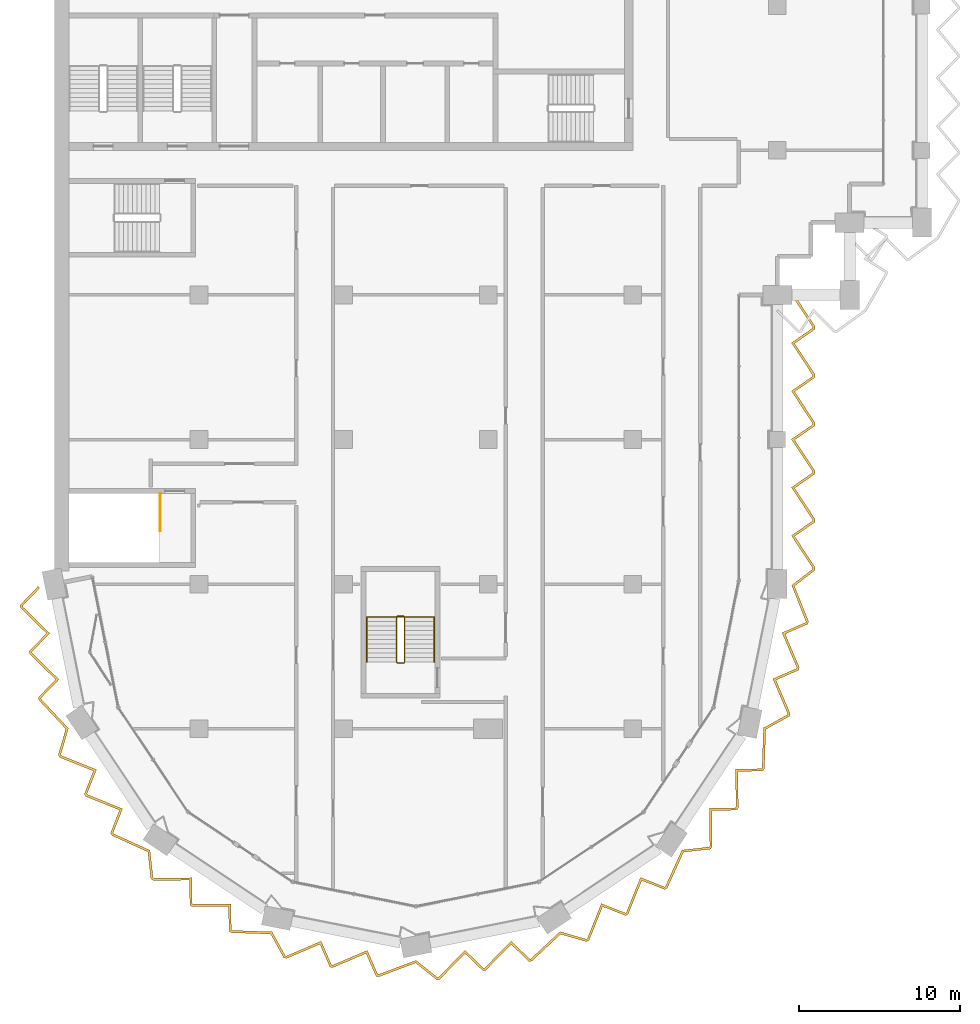
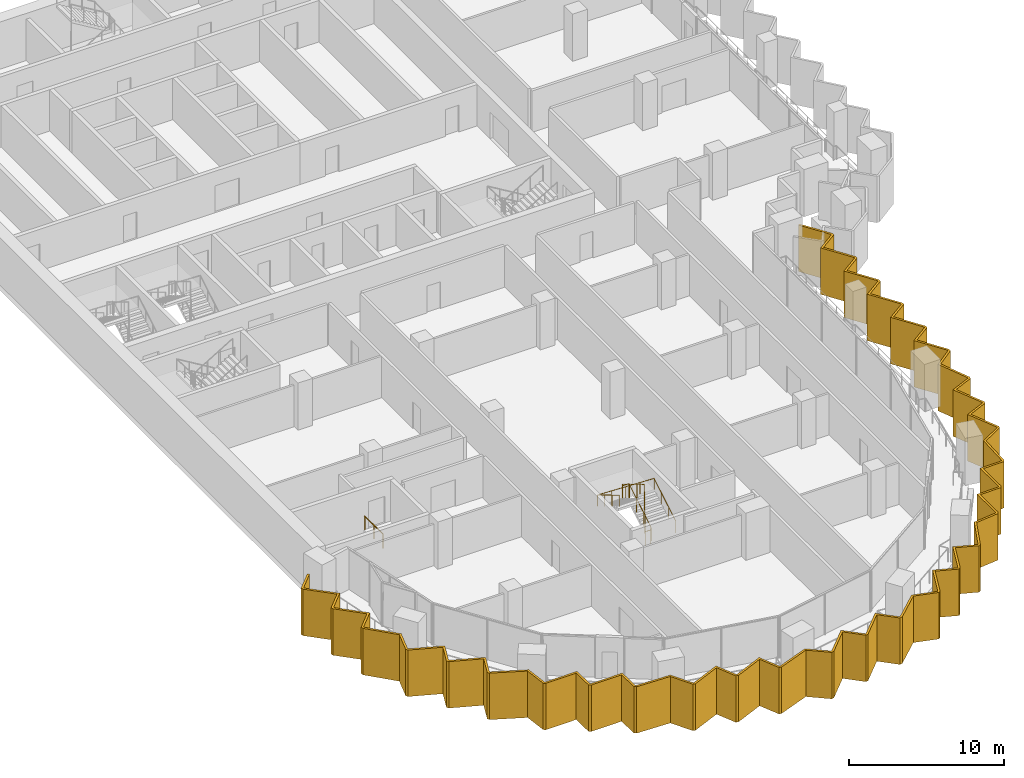
# One storey, part 15 of 18: 3 railings, 1 shading device.
"""IFC4 building model written with IfcOpenShell, lengths in metres."""

from ifc_helpers import new_model, si_unit, direction, frame, origin, origin_2d, place, context, subcontext, project, spatial, polyline, circle, outline, extrude, material, layer, layer_set, type_object, element, save


model = new_model("IFC4")

# Units and contexts
model_context = context("Model", 3, precision=1e-05, world=origin(), true_north=direction((0.0, 1.0)))
body_context = subcontext(model_context, "Body", "Model", "MODEL_VIEW")
ifc_project = project(units=[si_unit("LENGTHUNIT", "METRE"), si_unit("AREAUNIT", "SQUARE_METRE"), si_unit("VOLUMEUNIT", "CUBIC_METRE"), si_unit("PLANEANGLEUNIT", "RADIAN"), si_unit("MASSUNIT", "GRAM", prefix="KILO")], contexts=[model_context])

# Site, building, storey
site_placement = place(None, origin())
site = spatial("IfcSite", under=ifc_project, at=site_placement, CompositionType="ELEMENT")
building_placement = place(site_placement, origin())
building = spatial("IfcBuilding", under=site, at=building_placement, Name="Hunhe Ridgeline Campus", CompositionType="ELEMENT")
storey_placement = place(building_placement, frame((0.0, 0.0, 223.5)))
storey = spatial("IfcBuildingStorey", under=building, at=storey_placement, Name="L57", CompositionType="ELEMENT", Elevation=223.5)

# Shading device
ifc_material_1 = material(Name="Concrete C50", Category="concrete")
ifc_layer = layer(ifc_material_1, 0.14990234375)
ifc_layer_set = layer_set([ifc_layer], Name="Sawtooth concrete fin 150 Concrete C50")
shading_device_type = type_object("IfcShadingDeviceType", Name="Sawtooth concrete fin 150 Concrete C50", PredefinedType="USERDEFINED", material=ifc_layer_set)
shading_device_placement = place(storey_placement, frame((0.0, 0.0, -0.949951171875)))
element("IfcShadingDevice", 1, at=shading_device_placement, inside=storey, type_object=shading_device_type, Name="Concrete fin screen 1", ObjectType="FIN", PredefinedType="USERDEFINED", context=body_context, shape_type="SweptSolid", body=[
    extrude(outline(polyline([(-0.90234375, 35.7578125), (-1.01025390625, 35.86181640625), (-2.136474609375, 34.694580078125), (-2.100830078125, 34.515869140625), (-0.490966796875, 32.938232421875), (-1.5654296875, 31.824462890625), (-1.52978515625, 31.645751953125), (0.079833984375, 30.068115234375), (-0.99462890625, 28.954345703125), (-0.95947265625, 28.77734375), (0.71044921875, 26.989013671875), (0.240966796875, 25.362548828125), (0.33984375, 25.21435546875), (2.4306640625, 24.373046875), (1.8642578125, 22.932861328125), (1.965576171875, 22.78125), (4.056640625, 21.939697265625), (3.489990234375, 20.499755859375), (3.59033203125, 20.349609375), (5.8173828125, 19.33642578125), (6.006103515625, 17.654052734375), (6.154052734375, 17.55517578125), (8.407958984375, 17.577880859375), (8.435546875, 16.03076171875), (8.587158203125, 15.92919921875), (10.841064453125, 15.9521484375), (10.868896484375, 14.40478515625), (11.01904296875, 14.304443359375), (13.464111328125, 14.220703125), (14.2822265625, 12.738525390625), (14.45703125, 12.703857421875), (16.530517578125, 13.58740234375), (17.148193359375, 12.16845703125), (17.3271484375, 12.1328125), (19.400634765625, 13.016357421875), (20.018310546875, 11.59765625), (20.1953125, 11.562255859375), (22.486572265625, 12.420654296875), (23.8095703125, 11.364501953125), (23.984130859375, 11.399169921875), (25.561767578125, 13.009033203125), (26.675537109375, 11.9345703125), (26.854248046875, 11.97021484375), (28.431884765625, 13.579833984375), (29.545654296875, 12.50537109375), (29.72265625, 12.54052734375), (31.510986328125, 14.21044921875), (33.137451171875, 13.740966796875), (33.28564453125, 13.83984375), (34.126953125, 15.9306640625), (35.567138671875, 15.3642578125), (35.71875, 15.465576171875), (36.560302734375, 17.556640625), (38.000244140625, 16.989990234375), (38.150390625, 17.09033203125), (39.16357421875, 19.3173828125), (40.845947265625, 19.506103515625), (40.94482421875, 19.654052734375), (40.922119140625, 21.907958984375), (42.46923828125, 21.935546875), (42.57080078125, 22.087158203125), (42.5478515625, 24.341064453125), (44.09521484375, 24.368896484375), (44.195556640625, 24.51904296875), (44.279296875, 26.964111328125), (45.761474609375, 27.7822265625), (45.796142578125, 27.95703125), (44.91259765625, 30.030517578125), (46.33154296875, 30.648193359375), (46.3671875, 30.8271484375), (45.483642578125, 32.900634765625), (46.90234375, 33.518310546875), (46.937744140625, 33.6962890625), (46.065673828125, 35.879150390625), (47.35009765625, 36.86572265625), (47.35009765625, 37.045166015625), (46.077880859375, 38.97998046875), (47.35009765625, 39.863525390625), (47.35009765625, 40.045166015625), (46.077880859375, 41.97998046875), (47.35009765625, 42.863525390625), (47.35009765625, 43.045166015625), (46.077880859375, 44.97998046875), (47.35009765625, 45.863525390625), (47.35009765625, 46.045166015625), (46.077880859375, 47.97998046875), (47.35009765625, 48.863525390625), (47.35009765625, 49.045166015625), (46.077880859375, 50.97998046875), (47.35009765625, 51.863525390625), (47.35009765625, 52.045166015625), (46.03759765625, 54.041259765625), (45.912353515625, 53.958740234375), (47.199951171875, 52.000244140625), (47.199951171875, 51.94189453125), (45.8720703125, 51.02001953125), (47.199951171875, 49.000244140625), (47.199951171875, 48.94189453125), (45.8720703125, 48.02001953125), (47.199951171875, 46.000244140625), (47.199951171875, 45.94189453125), (45.8720703125, 45.02001953125), (47.199951171875, 43.000244140625), (47.199951171875, 42.94189453125), (45.8720703125, 42.02001953125), (47.199951171875, 40.000244140625), (47.199951171875, 39.94189453125), (45.8720703125, 39.02001953125), (47.199951171875, 37.000244140625), (47.199951171875, 36.939697265625), (45.88427734375, 35.928955078125), (46.781982421875, 33.681884765625), (46.7705078125, 33.62451171875), (45.287109375, 32.978759765625), (46.2109375, 30.810791015625), (46.19970703125, 30.75439453125), (44.71630859375, 30.108642578125), (45.639892578125, 27.940673828125), (45.6279296875, 27.8798828125), (44.13232421875, 27.05419921875), (44.047119140625, 24.566650390625), (44.013916015625, 24.517333984375), (42.396484375, 24.488525390625), (42.420166015625, 22.132080078125), (42.38818359375, 22.084228515625), (40.770751953125, 22.05517578125), (40.79443359375, 19.698974609375), (40.760009765625, 19.6474609375), (39.062255859375, 19.45703125), (38.031494140625, 17.19140625), (37.982177734375, 17.158447265625), (36.4765625, 17.750732421875), (35.596923828125, 15.564453125), (35.549072265625, 15.532470703125), (34.04345703125, 16.124755859375), (33.163818359375, 13.938720703125), (33.112060546875, 13.904296875), (31.470703125, 14.378173828125), (29.651611328125, 12.679443359375), (29.59326171875, 12.667724609375), (28.428955078125, 13.791259765625), (26.779541015625, 12.108154296875), (26.72314453125, 12.096923828125), (25.558837890625, 13.22021484375), (23.909423828125, 11.537353515625), (23.8486328125, 11.525146484375), (22.513427734375, 12.591064453125), (20.182861328125, 11.7177734375), (20.12451171875, 11.7294921875), (19.478759765625, 13.212890625), (17.310791015625, 12.2890625), (17.25439453125, 12.30029296875), (16.608642578125, 13.78369140625), (14.440673828125, 12.860107421875), (14.3798828125, 12.8720703125), (13.55419921875, 14.36767578125), (11.066650390625, 14.452880859375), (11.017333984375, 14.486083984375), (10.988525390625, 16.103515625), (8.632080078125, 16.079833984375), (8.584228515625, 16.11181640625), (8.55517578125, 17.729248046875), (6.198974609375, 17.70556640625), (6.1474609375, 17.739990234375), (5.95703125, 19.437744140625), (3.69140625, 20.468505859375), (3.658447265625, 20.517822265625), (4.250732421875, 22.0234375), (2.064453125, 22.903076171875), (2.032470703125, 22.950927734375), (2.624755859375, 24.45654296875), (0.438720703125, 25.336181640625), (0.404296875, 25.387939453125), (0.878173828125, 27.029296875), (-0.820556640625, 28.848388671875), (-0.832275390625, 28.90673828125), (0.291259765625, 30.071044921875), (-1.391845703125, 31.720458984375), (-1.403076171875, 31.77685546875), (-0.27978515625, 32.941162109375), (-1.962646484375, 34.590576171875), (-1.973876953125, 34.64697265625), (-0.90234375, 35.7578125)])), origin(), (0.0, 0.0, 1.0), 3.64990234375),
])

# Railings
ifc_material_2 = material(Name="Stainless steel balustrade", Category="steel")
railing_type_1 = type_object("IfcRailingType", Name="Stair guard 1100 stainless", PredefinedType="GUARDRAIL", material=ifc_material_2)
railing_1_placement = place(storey_placement, frame((21.800048828125, 31.14990234375, 0.168212890625)))
element("IfcRailing", 2, at=railing_1_placement, inside=storey, type_object=railing_type_1, Name="L57 stair W3 guard", PredefinedType="GUARDRAIL", context=body_context, shape_type="SweptSolid", body=[
    extrude(circle(Radius=0.02392578125, at=origin_2d()), frame((0.0, 0.0, 1.076171875), z_axis=(0.0, 0.857242210791, 0.514913383045), x_axis=(-1.0, 0.0, 0.0)), (0.0, 0.0, 1.0), 3.266357421875),
    extrude(circle(Radius=0.02392578125, at=origin_2d()), frame((0.0, 2.800048828125, 2.7578125), z_axis=(-0.707106781187, 0.707106781187, 0.0), x_axis=(-0.707106781187, -0.707106781187, 0.0)), (0.0, 0.0, 1.0), 0.07080078125),
    extrude(circle(Radius=0.02392578125, at=origin_2d()), frame((-0.050048828125, 2.85009765625, 2.7578125), z_axis=(-1.0, 0.0, 0.0), x_axis=(0.0, -1.0, 0.0)), (0.0, 0.0, 1.0), 0.39990234375),
    extrude(circle(Radius=0.02392578125, at=origin_2d()), frame((-0.449951171875, 2.85009765625, 2.7578125), z_axis=(-0.274582412415, -0.274582412415, 0.921525364591), x_axis=(0.707106781187, -0.707106781187, 0.0)), (0.0, 0.0, 1.0), 0.182373046875),
    extrude(circle(Radius=0.02392578125, at=origin_2d()), frame((-0.5, 2.800048828125, 2.92578125), z_axis=(0.0, -0.857242210791, 0.514913383045), x_axis=(1.0, 0.0, 0.0)), (0.0, 0.0, 1.0), 3.266357421875),
    extrude(circle(Radius=0.02392578125, at=origin_2d()), frame((-0.5, 0.0, 4.60791015625), z_axis=(0.013524426427, -0.013458453615, -0.999817963389), x_axis=(0.705375805398, 0.708833529934, 0.0)), (0.0, 0.0, 1.0), 3.70068359375),
    extrude(circle(Radius=0.02392578125, at=origin_2d()), frame((-0.449951171875, -0.0498046875, 0.90771484375), z_axis=(1.0, 0.0, 0.0), x_axis=(0.0, 1.0, 0.0)), (0.0, 0.0, 1.0), 0.39990234375),
    extrude(circle(Radius=0.02099609375, at=origin_2d()), origin(), (0.0, 0.0, 1.0), 1.052001953125),
    extrude(circle(Radius=0.02099609375, at=origin_2d()), frame((0.0, 0.933349609375, 0.560546875)), (0.0, 0.0, 1.0), 1.052001953125),
    extrude(circle(Radius=0.02099609375, at=origin_2d()), frame((0.0, 1.86669921875, 1.121337890625)), (0.0, 0.0, 1.0), 1.052001953125),
    extrude(circle(Radius=0.02099609375, at=origin_2d()), frame((0.0, 2.800048828125, 1.681884765625)), (0.0, 0.0, 1.0), 1.052001953125),
    extrude(circle(Radius=0.02099609375, at=origin_2d()), frame((-0.050048828125, 2.85009765625, 1.681884765625)), (0.0, 0.0, 1.0), 1.052001953125),
    extrude(circle(Radius=0.02099609375, at=origin_2d()), frame((-0.449951171875, 2.85009765625, 1.681884765625)), (0.0, 0.0, 1.0), 1.052001953125),
    extrude(circle(Radius=0.02099609375, at=origin_2d()), frame((-0.5, 2.800048828125, 1.849853515625)), (0.0, 0.0, 1.0), 1.052001953125),
    extrude(circle(Radius=0.02099609375, at=origin_2d()), frame((-0.5, 1.86669921875, 2.410400390625)), (0.0, 0.0, 1.0), 1.052001953125),
    extrude(circle(Radius=0.02099609375, at=origin_2d()), frame((-0.5, 0.933349609375, 2.97119140625)), (0.0, 0.0, 1.0), 1.052001953125),
    extrude(circle(Radius=0.02099609375, at=origin_2d()), frame((-0.5, 0.0, 3.53173828125)), (0.0, 0.0, 1.0), 1.052001953125),
    extrude(circle(Radius=0.02099609375, at=origin_2d()), frame((-0.487548828125, -0.012451171875, 2.606689453125)), (0.0, 0.0, 1.0), 1.052001953125),
    extrude(circle(Radius=0.02099609375, at=origin_2d()), frame((-0.47509765625, -0.02490234375, 1.681640625)), (0.0, 0.0, 1.0), 1.052001953125),
    extrude(circle(Radius=0.02099609375, at=origin_2d()), frame((-0.46240234375, -0.037353515625, 0.7568359375)), (0.0, 0.0, 1.0), 1.052001953125),
    extrude(circle(Radius=0.02099609375, at=origin_2d()), frame((-0.449951171875, -0.0498046875, -0.168212890625)), (0.0, 0.0, 1.0), 1.052001953125),
    extrude(circle(Radius=0.02099609375, at=origin_2d()), frame((-0.050048828125, -0.0498046875, -0.168212890625)), (0.0, 0.0, 1.0), 1.052001953125),
])
railing_2_placement = place(storey_placement, frame((6.60009765625, 41.64990234375, 0.0)))
element("IfcRailing", 3, at=railing_2_placement, inside=storey, type_object=railing_type_1, Name="L57 stair W1 top guard 1", PredefinedType="GUARDRAIL", context=body_context, shape_type="SweptSolid", body=[
    extrude(circle(Radius=0.02392578125, at=origin_2d()), frame((0.0, 0.0, 1.076171875), z_axis=(0.0, -1.0, 0.0), x_axis=(1.0, 0.0, 0.0)), (0.0, 0.0, 1.0), 2.349853515625),
    extrude(circle(Radius=0.02099609375, at=origin_2d()), origin(), (0.0, 0.0, 1.0), 1.052001953125),
    extrude(circle(Radius=0.02099609375, at=origin_2d()), frame((0.0, -1.1748046875, 0.0)), (0.0, 0.0, 1.0), 1.052001953125),
    extrude(circle(Radius=0.02099609375, at=origin_2d()), frame((0.0, -2.349853515625, 0.0)), (0.0, 0.0, 1.0), 1.052001953125),
])
ifc_material_3 = material(Name="Stainless steel handrail", Category="steel")
railing_type_2 = type_object("IfcRailingType", Name="Stair handrail 900 stainless", PredefinedType="HANDRAIL", material=ifc_material_3)
railing_3_placement = place(storey_placement, frame((23.64990234375, 31.14990234375, 0.168212890625)))
element("IfcRailing", 4, at=railing_3_placement, inside=storey, type_object=railing_type_2, Name="L57 stair W3 handrail", PredefinedType="HANDRAIL", context=body_context, shape_type="SweptSolid", body=[
    extrude(circle(Radius=0.02392578125, at=origin_2d()), frame((0.0, 0.0, 0.8759765625), z_axis=(0.0, 0.857242210791, 0.514913383045), x_axis=(-1.0, 0.0, 0.0)), (0.0, 0.0, 1.0), 3.266357421875),
    extrude(circle(Radius=0.02392578125, at=origin_2d()), frame((0.0, 2.800048828125, 2.5576171875), z_axis=(-0.99920123705, 0.0, 0.039961079526), x_axis=(0.0, -1.0, 0.0)), (0.0, 0.0, 1.0), 4.203369140625),
    extrude(circle(Radius=0.02392578125, at=origin_2d()), frame((-4.199951171875, 2.800048828125, 2.7255859375), z_axis=(0.0, -0.857242210791, 0.514913383045), x_axis=(1.0, 0.0, 0.0)), (0.0, 0.0, 1.0), 3.266357421875),
    extrude(circle(Radius=0.02099609375, at=origin_2d()), origin(), (0.0, 0.0, 1.0), 0.851806640625),
    extrude(circle(Radius=0.02099609375, at=origin_2d()), frame((0.0, 0.933349609375, 0.560546875)), (0.0, 0.0, 1.0), 0.851806640625),
    extrude(circle(Radius=0.02099609375, at=origin_2d()), frame((0.0, 1.86669921875, 1.121337890625)), (0.0, 0.0, 1.0), 0.851806640625),
    extrude(circle(Radius=0.02099609375, at=origin_2d()), frame((0.0, 2.800048828125, 1.681884765625)), (0.0, 0.0, 1.0), 0.851806640625),
    extrude(circle(Radius=0.02099609375, at=origin_2d()), frame((-1.050048828125, 2.800048828125, 1.723876953125)), (0.0, 0.0, 1.0), 0.851806640625),
    extrude(circle(Radius=0.02099609375, at=origin_2d()), frame((-2.10009765625, 2.800048828125, 1.765869140625)), (0.0, 0.0, 1.0), 0.851806640625),
    extrude(circle(Radius=0.02099609375, at=origin_2d()), frame((-3.14990234375, 2.800048828125, 1.807861328125)), (0.0, 0.0, 1.0), 0.851806640625),
    extrude(circle(Radius=0.02099609375, at=origin_2d()), frame((-4.199951171875, 2.800048828125, 1.849853515625)), (0.0, 0.0, 1.0), 0.851806640625),
    extrude(circle(Radius=0.02099609375, at=origin_2d()), frame((-4.199951171875, 1.86669921875, 2.410400390625)), (0.0, 0.0, 1.0), 0.851806640625),
    extrude(circle(Radius=0.02099609375, at=origin_2d()), frame((-4.199951171875, 0.933349609375, 2.97119140625)), (0.0, 0.0, 1.0), 0.851806640625),
    extrude(circle(Radius=0.02099609375, at=origin_2d()), frame((-4.199951171875, 0.0, 3.53173828125)), (0.0, 0.0, 1.0), 0.851806640625),
])

save(model, "model.ifc")
